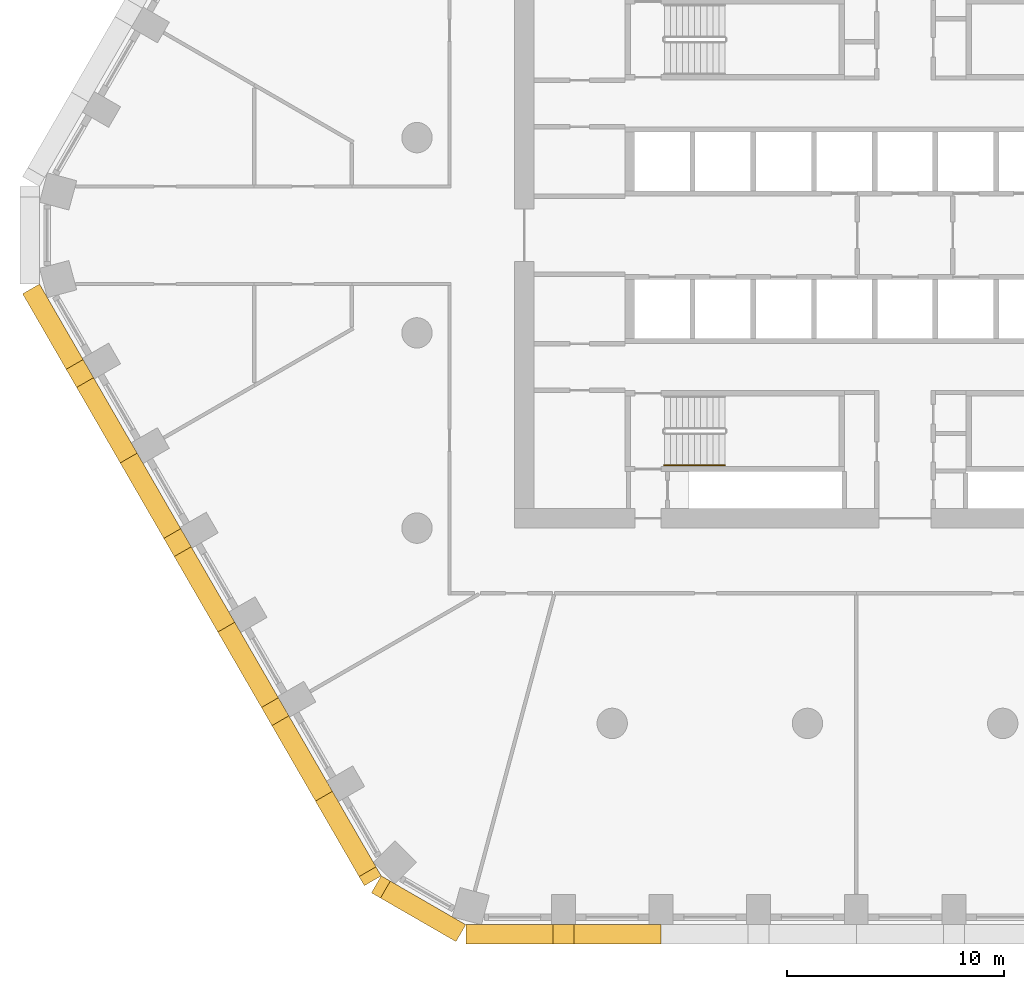
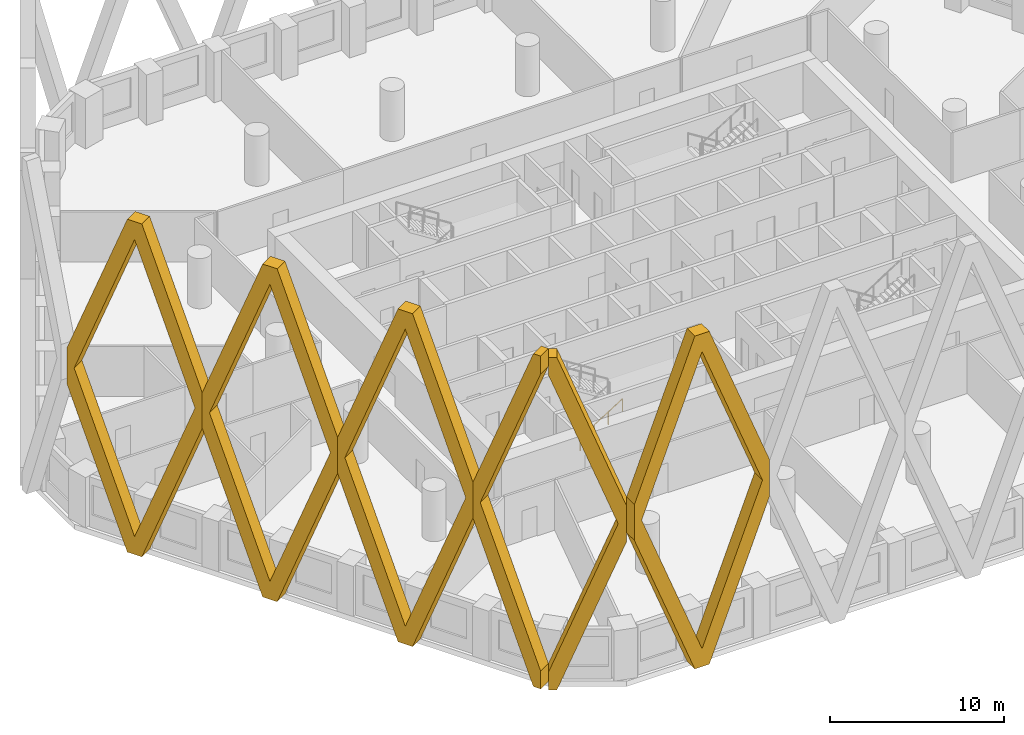
# One storey, part 10 of 18: 6 coverings, 1 railing.
"""IFC4 building model written with IfcOpenShell, lengths in metres."""

from ifc_helpers import new_model, si_unit, direction, frame, origin, origin_2d, place, context, subcontext, project, spatial, polyline, circle, outline, extrude, material, type_object, element, save


model = new_model("IFC4")

# Units and contexts
model_context = context("Model", 3, precision=1e-05, world=origin(), true_north=direction((0.0, 1.0)))
body_context = subcontext(model_context, "Body", "Model", "MODEL_VIEW")
ifc_project = project(units=[si_unit("LENGTHUNIT", "METRE"), si_unit("AREAUNIT", "SQUARE_METRE"), si_unit("VOLUMEUNIT", "CUBIC_METRE"), si_unit("PLANEANGLEUNIT", "RADIAN"), si_unit("MASSUNIT", "GRAM", prefix="KILO")], contexts=[model_context])

# Site, building, storey
site_placement = place(None, origin())
site = spatial("IfcSite", under=ifc_project, at=site_placement, CompositionType="ELEMENT")
building_placement = place(site_placement, origin())
building = spatial("IfcBuilding", under=site, at=building_placement, Name="Dhurran Vertical Campus", CompositionType="ELEMENT")
storey_placement = place(building_placement, frame((0.0, 0.0, 30.0)))
storey = spatial("IfcBuildingStorey", under=building, at=storey_placement, Name="L06", CompositionType="ELEMENT", Elevation=30.0)

# Coverings
ifc_material_1 = material(Name="Precast concrete C50/60", Category="concrete")
covering_type = type_object("IfcCoveringType", Name="Folded precast fin lattice diamond", PredefinedType="USERDEFINED", material=ifc_material_1)
for number, where, z_axis, x_axis, name in (
    (1, (-20.25, -31.77978515625, 0.0), (0.0, -1.0, 0.0), (1.0, 0.0, 0.0), "FN1 L06.001"),
    (2, (-39.897216796875, -2.25, 0.0), (-0.866013897511, -0.50001992892, 0.0), (0.50001992892, -0.866013897511, 0.0), "FN1 L06.028"),
    (3, (-35.397216796875, -10.044189453125, 0.0), (-0.866013897511, -0.50001992892, 0.0), (0.50001992892, -0.866013897511, 0.0), "FN1 L06.029"),
    (4, (-30.897216796875, -17.83837890625, 0.0), (-0.865896406789, -0.500223362819, 0.0), (0.500223362819, -0.865896406789, 0.0), "FN1 L06.030"),
):
    element("IfcCovering", number, at=place(storey_placement, frame(where, z_axis=z_axis, x_axis=x_axis)), inside=storey, type_object=covering_type, Name=name, ObjectType="FIN", PredefinedType="USERDEFINED", context=body_context, shape_type="SweptSolid", body=[
        extrude(outline(polyline([(9.0, 12.95361328125), (9.0, 10.4462890625), (4.982177734375, 0.0), (4.017822265625, 0.0), (0.0, 10.4462890625), (0.0, 12.95361328125), (4.017822265625, 23.39990234375), (4.982177734375, 23.39990234375), (9.0, 12.95361328125)]), holes=[polyline([(8.517822265625, 11.699951171875), (4.5, 22.146484375), (0.482177734375, 11.699951171875), (4.5, 1.253662109375), (8.517822265625, 11.699951171875)])]), origin(), (0.0, 0.0, 1.0), 0.89990234375),
    ])
covering_1_placement = place(storey_placement, frame((-26.397216796875, -25.6328125, 0.0), z_axis=(-0.866013897511, -0.50001992892, 0.0), x_axis=(0.50001992892, -0.866013897511, 0.0)))
element("IfcCovering", 5, at=covering_1_placement, inside=storey, type_object=covering_type, Name="FN1 L06.031", ObjectType="FIN", PredefinedType="USERDEFINED", context=body_context, shape_type="SweptSolid", body=[
    extrude(outline(polyline([(4.017822265625, 0.0), (0.0, 10.4462890625), (0.0, 12.95361328125), (4.017822265625, 23.39990234375), (4.5, 23.39990234375), (4.5, 22.146484375), (0.482177734375, 11.699951171875), (4.5, 1.253662109375), (4.5, 0.0), (4.017822265625, 0.0)])), origin(), (0.0, 0.0, 1.0), 0.89990234375),
])
covering_2_placement = place(storey_placement, frame((-24.147216796875, -29.52978515625, 0.0), z_axis=(-0.50001992892, -0.866013897511, 0.0), x_axis=(0.866013897511, -0.50001992892, 0.0)))
element("IfcCovering", 6, at=covering_2_placement, inside=storey, type_object=covering_type, Name="FN1 L06.032", ObjectType="FIN", PredefinedType="USERDEFINED", context=body_context, shape_type="SweptSolid", body=[
    extrude(outline(polyline([(4.5, 10.4462890625), (0.482177734375, 0.0), (0.0, 0.0), (0.0, 1.253662109375), (4.017822265625, 11.699951171875), (0.0, 22.146484375), (0.0, 23.39990234375), (0.482177734375, 23.39990234375), (4.5, 12.95361328125), (4.5, 10.4462890625)])), origin(), (0.0, 0.0, 1.0), 0.89990234375),
])

# Railing
ifc_material_2 = material(Name="Stainless steel handrail", Category="steel")
railing_type = type_object("IfcRailingType", Name="co-RL-HANDRAIL-900", PredefinedType="HANDRAIL", material=ifc_material_2)
railing_placement = place(storey_placement, frame((-11.10009765625, -10.60009765625, 0.17724609375)))
element("IfcRailing", 7, at=railing_placement, inside=storey, type_object=railing_type, Name="L06 ST3 stair handrail 1", PredefinedType="HANDRAIL", context=body_context, shape_type="SweptSolid", body=[
    extrude(circle(Radius=0.02392578125, at=origin_2d()), frame((0.0, 0.0, 0.8759765625), z_axis=(0.844908973607, 0.0, 0.534910110503), x_axis=(0.0, 1.0, 0.0)), (0.0, 0.0, 1.0), 3.31396484375),
    extrude(circle(Radius=0.02099609375, at=origin_2d()), origin(), (0.0, 0.0, 1.0), 0.851806640625),
    extrude(circle(Radius=0.02099609375, at=origin_2d()), frame((0.933349609375, 0.0, 0.5908203125)), (0.0, 0.0, 1.0), 0.851806640625),
    extrude(circle(Radius=0.02099609375, at=origin_2d()), frame((1.86669921875, 0.0, 1.181884765625)), (0.0, 0.0, 1.0), 0.851806640625),
    extrude(circle(Radius=0.02099609375, at=origin_2d()), frame((2.800048828125, 0.0, 1.772705078125)), (0.0, 0.0, 1.0), 0.851806640625),
])

save(model, "model.ifc")
